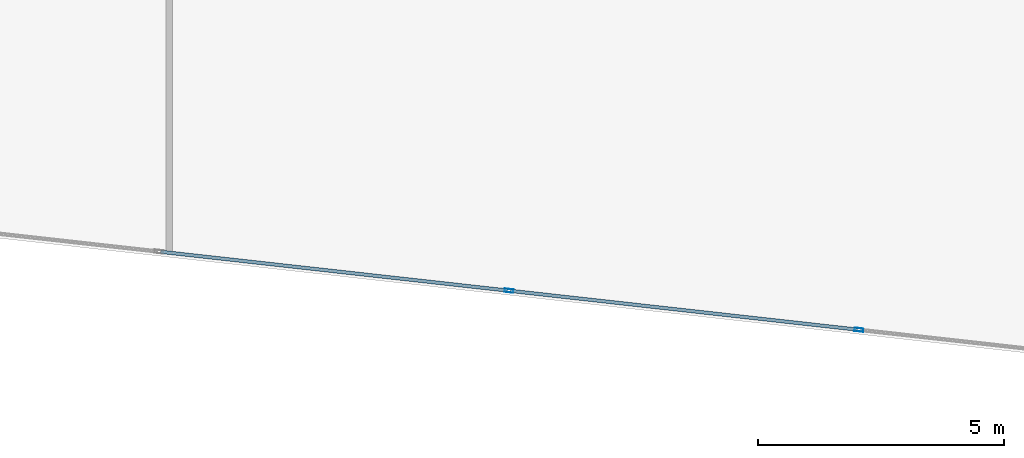
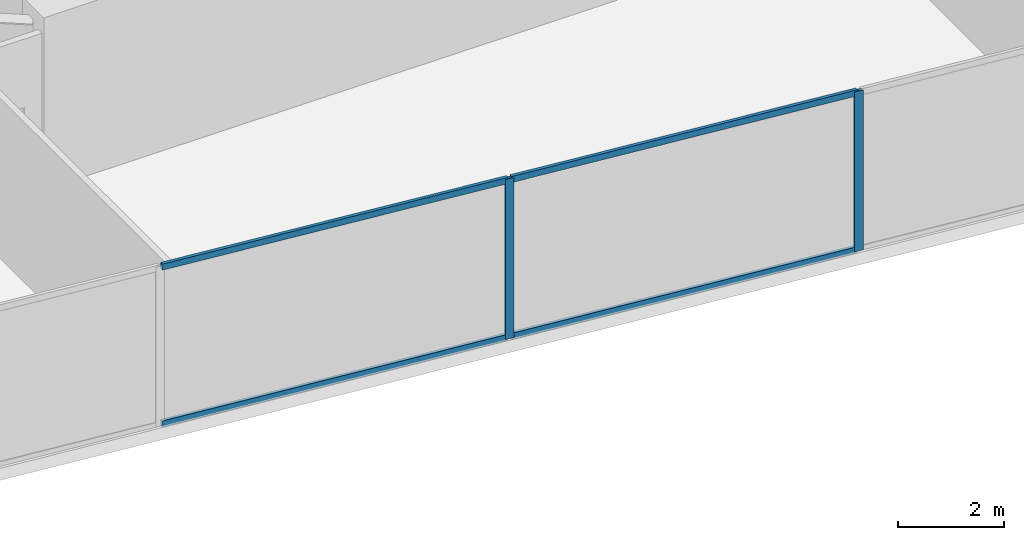
# One storey, part 5 of 28: 6 members, 1 element without a shape of its own.
"""IFC4 building model written with IfcOpenShell, lengths in metres."""

from ifc_helpers import new_model, si_unit, direction, frame, origin, origin_2d, place, context, subcontext, project, spatial, hollow_rectangle, extrude, source, transform, mapped, material, material_profile, profile_set, type_object, type_shapes, element, aggregate, save


model = new_model("IFC4")

# Units and contexts
model_context = context("Model", 3, precision=1e-05, world=origin(), true_north=direction((0.0, 1.0)))
body_context = subcontext(model_context, "Body", "Model", "MODEL_VIEW")
ifc_project = project(units=[si_unit("LENGTHUNIT", "METRE"), si_unit("AREAUNIT", "SQUARE_METRE"), si_unit("VOLUMEUNIT", "CUBIC_METRE"), si_unit("PLANEANGLEUNIT", "RADIAN"), si_unit("MASSUNIT", "GRAM", prefix="KILO")], contexts=[model_context])

# Site, building, storey
site_placement = place(None, origin())
site = spatial("IfcSite", under=ifc_project, at=site_placement, CompositionType="ELEMENT")
building_placement = place(site_placement, origin())
building = spatial("IfcBuilding", under=site, at=building_placement, Name="Krantzveldt Concourse Tower", CompositionType="ELEMENT")
storey_placement = place(building_placement, frame((0.0, 0.0, 64.5)))
storey = spatial("IfcBuildingStorey", under=building, at=storey_placement, Name="L15", CompositionType="ELEMENT", Elevation=64.5)

# Curtain wall, members
ifc_material = material(Name="Anodised aluminium 6063-T6", Category="aluminium")
curtain_wall_type = type_object("IfcCurtainWallType", Name="CW2", PredefinedType="USERDEFINED", material=ifc_material)
curtain_wall_placement = place(storey_placement, origin())
curtain_wall = element("IfcCurtainWall", 1, at=curtain_wall_placement, inside=storey, type_object=curtain_wall_type, Name="CW-L15-F04", ObjectType="UNITISED CURTAIN WALL", PredefinedType="USERDEFINED")
ifc_material_profile_1 = material_profile(ifc_material, hollow_rectangle(XDim=0.070068359375, YDim=0.179931640625, WallThickness=0.0048828125, at=origin_2d()), Name="Anodised aluminium 6063-T6", Category="aluminium")
ifc_profile_set_1 = profile_set([ifc_material_profile_1], Name="Anodised aluminium 6063-T6 - ALU-MULL 180x70x5")
member_type_1 = type_object("IfcMemberType", Name="CW-MUL-180", PredefinedType="MULLION", material=ifc_profile_set_1)
shared_shape_1 = source(origin(), body_context, "Body", "SweptSolid", [
    extrude(hollow_rectangle(XDim=0.070068359375, YDim=0.179931640625, WallThickness=0.0048828125, at=origin_2d()), origin(), (0.0, 0.0, 1.0), 3.669921875),
])
type_shapes(member_type_1, [shared_shape_1])
member_1_placement = place(storey_placement, frame((33.234130859375, 1.944091796875, 0.0), z_axis=(0.0, 0.0, 1.0), x_axis=(0.111035342863, 0.993816458223, 0.0)))
member_1 = element("IfcMember", 2, at=member_1_placement, type_object=member_type_1, Name="CW-Z12 mullion 4", PredefinedType="MULLION", context=body_context, shape_type="MappedRepresentation", body=[
    mapped(shared_shape_1, transform((0.0, 0.0, 0.0), x_axis=(1.0, 0.0, 0.0), y_axis=(0.0, 1.0, 0.0), z_axis=(0.0, 0.0, 1.0), scale=1.0)),
])
member_2_placement = place(storey_placement, frame((40.3564453125, 1.148193359375, 0.0), z_axis=(0.0, 0.0, 1.0), x_axis=(0.111035342863, 0.993816458223, 0.0)))
member_2 = element("IfcMember", 3, at=member_2_placement, type_object=member_type_1, Name="CW-Z12 mullion 5", PredefinedType="MULLION", context=body_context, shape_type="MappedRepresentation", body=[
    mapped(shared_shape_1, transform((0.0, 0.0, 0.0), x_axis=(1.0, 0.0, 0.0), y_axis=(0.0, 1.0, 0.0), z_axis=(0.0, 0.0, 1.0), scale=1.0)),
])
ifc_material_profile_2 = material_profile(ifc_material, hollow_rectangle(XDim=0.070068359375, YDim=0.139892578125, WallThickness=0.0048828125, at=origin_2d()), Name="Anodised aluminium 6063-T6", Category="aluminium")
ifc_profile_set_2 = profile_set([ifc_material_profile_2], Name="Anodised aluminium 6063-T6 - ALU-TRAN 140x70x5")
member_type_2 = type_object("IfcMemberType", Name="CW-TRN-150", PredefinedType="USERDEFINED", material=ifc_profile_set_2)
shared_shape_2 = source(origin(), body_context, "Body", "SweptSolid", [
    extrude(hollow_rectangle(XDim=0.070068359375, YDim=0.139892578125, WallThickness=0.0048828125, at=origin_2d()), origin(), (0.0, 0.0, 1.0), 7.0966796875),
])
member_3_placement = place(storey_placement, frame((26.146484375, 2.73583984375, 0.034912109375), z_axis=(0.993818533296, -0.111016768449, 0.0), x_axis=(0.111016768449, 0.993818533296, 0.0)))
member_3 = element("IfcMember", 4, at=member_3_placement, type_object=member_type_2, Name="CW-Z12 transom 3.1", ObjectType="TRANSOM", PredefinedType="USERDEFINED", context=body_context, shape_type="MappedRepresentation", body=[
    mapped(shared_shape_2, transform((0.0, 0.0, 0.0), x_axis=(1.0, 0.0, 0.0), y_axis=(0.0, 1.0, 0.0), z_axis=(0.0, 0.0, 1.0), scale=1.0)),
])
member_4_placement = place(storey_placement, frame((26.146484375, 2.73583984375, 3.635009765625), z_axis=(0.993818533296, -0.111016768449, 0.0), x_axis=(0.111016768449, 0.993818533296, 0.0)))
member_4 = element("IfcMember", 5, at=member_4_placement, type_object=member_type_2, Name="CW-Z12 transom 3.2", ObjectType="TRANSOM", PredefinedType="USERDEFINED", context=body_context, shape_type="MappedRepresentation", body=[
    mapped(shared_shape_2, transform((0.0, 0.0, 0.0), x_axis=(1.0, 0.0, 0.0), y_axis=(0.0, 1.0, 0.0), z_axis=(0.0, 0.0, 1.0), scale=1.0)),
])
shared_shape_3 = source(origin(), body_context, "Body", "SweptSolid", [
    extrude(hollow_rectangle(XDim=0.070068359375, YDim=0.139892578125, WallThickness=0.0048828125, at=origin_2d()), origin(), (0.0, 0.0, 1.0), 7.096923828125),
])
type_shapes(member_type_2, [shared_shape_2, shared_shape_3])
member_5_placement = place(storey_placement, frame((33.268798828125, 1.940185546875, 0.034912109375), z_axis=(0.993815161325, -0.111046950076, 0.0), x_axis=(0.111046950076, 0.993815161325, 0.0)))
member_5 = element("IfcMember", 6, at=member_5_placement, type_object=member_type_2, Name="CW-Z12 transom 4.1", ObjectType="TRANSOM", PredefinedType="USERDEFINED", context=body_context, shape_type="MappedRepresentation", body=[
    mapped(shared_shape_3, transform((0.0, 0.0, 0.0), x_axis=(1.0, 0.0, 0.0), y_axis=(0.0, 1.0, 0.0), z_axis=(0.0, 0.0, 1.0), scale=1.0)),
])
member_6_placement = place(storey_placement, frame((33.268798828125, 1.940185546875, 3.635009765625), z_axis=(0.993815161325, -0.111046950076, 0.0), x_axis=(0.111046950076, 0.993815161325, 0.0)))
member_6 = element("IfcMember", 7, at=member_6_placement, type_object=member_type_2, Name="CW-Z12 transom 4.2", ObjectType="TRANSOM", PredefinedType="USERDEFINED", context=body_context, shape_type="MappedRepresentation", body=[
    mapped(shared_shape_3, transform((0.0, 0.0, 0.0), x_axis=(1.0, 0.0, 0.0), y_axis=(0.0, 1.0, 0.0), z_axis=(0.0, 0.0, 1.0), scale=1.0)),
])
aggregate(curtain_wall, [member_1, member_2, member_3, member_4, member_5, member_6])

save(model, "model.ifc")
